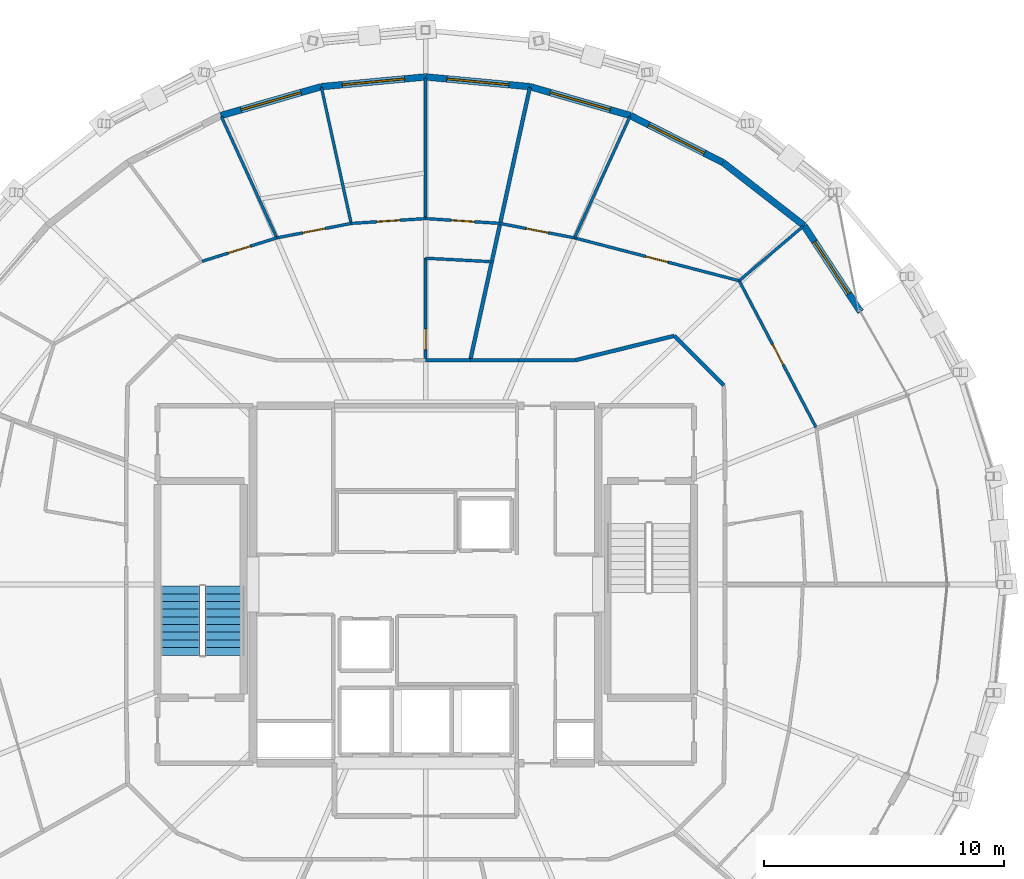
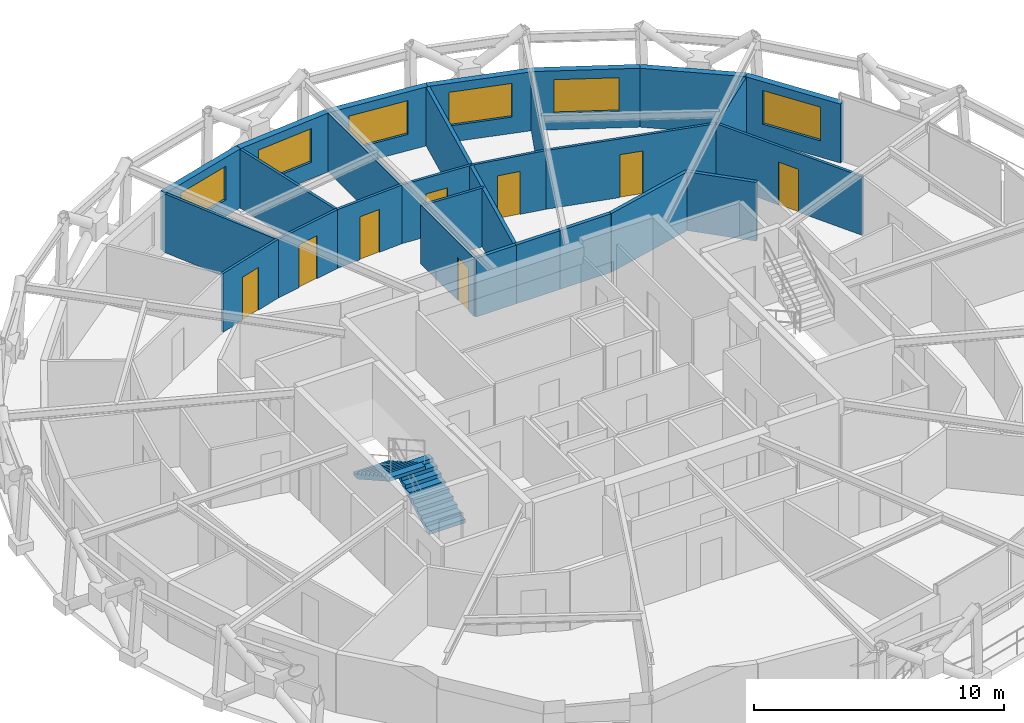
# One storey, part 16 of 18: 27 walls, 8 doors, 6 windows, 2 stair flights, 14 openings, 1 element without a shape of its own.
"""IFC4 building model written with IfcOpenShell, lengths in metres."""

import ifcopenshell
import ifcopenshell.guid

model = None  # the IFC model being written
_history = None  # IfcOwnerHistory: only IFC2X3 demands one
_inside = {}  # id of a spatial element -> (the spatial element, [elements in it])
_under = {}  # id of a project, library or spatial element -> (it, [spatial elements below it])
_declared = {}  # id of a project -> (the project, [libraries it declares])
_typed = {}  # id of a type object -> (the type object, [elements of that type])
_made_of = {}  # id of a material, layer set ... -> (it, [elements and type objects made of it])


def new_model(schema):
    """Start an empty IFC model of exactly this schema.

    Asked for "IFC4X3", IfcOpenShell would pick the latest addendum, in which some entities
    have other attributes; the version numbers below select the first issue.
    IFC2X3 requires an IfcOwnerHistory on every rooted entity: one is made here for all.
    """
    global model, _history
    if schema == "IFC4X3":
        model = ifcopenshell.file(schema_version=(4, 3, 0, 0))
    else:
        model = ifcopenshell.file(schema=schema)
    _inside.clear()
    _under.clear()
    _declared.clear()
    _typed.clear()
    _made_of.clear()
    _history = None
    if model.schema == "IFC2X3":
        org = make("IfcOrganization", Name="unknown")
        user = make(
            "IfcPersonAndOrganization",
            ThePerson=make("IfcPerson", FamilyName="unknown"),
            TheOrganization=org,
        )
        app = make(
            "IfcApplication",
            ApplicationDeveloper=org,
            Version="unknown",
            ApplicationFullName="unknown",
            ApplicationIdentifier="unknown",
        )
        _history = make(
            "IfcOwnerHistory",
            OwningUser=user,
            OwningApplication=app,
            ChangeAction="ADDED",
            CreationDate=0,
        )
    return model


def make(cls, **values):
    """One entity of the class cls with the attributes given. An attribute that is None is left unset."""
    return model.create_entity(
        cls, **{name: value for name, value in values.items() if value is not None}
    )


def rooted(cls, **values):
    """An entity with a GlobalId (a new one), such as an element, a storey or a relation."""
    return make(cls, GlobalId=ifcopenshell.guid.new(), OwnerHistory=_history, **values)


def si_unit(unit_type, name, prefix=None):
    """IfcSIUnit, for example si_unit("LENGTHUNIT", "METRE", prefix="MILLI")."""
    return make("IfcSIUnit", UnitType=unit_type, Prefix=prefix, Name=name)


def assignment(units):
    """IfcUnitAssignment: the units of a project."""
    return None if units is None else make("IfcUnitAssignment", Units=units)


def point(xyz):
    """IfcCartesianPoint."""
    return None if xyz is None else make("IfcCartesianPoint", Coordinates=xyz)


def direction(xyz):
    """IfcDirection."""
    return None if xyz is None else make("IfcDirection", DirectionRatios=xyz)


def frame(location, z_axis=None, x_axis=None):
    """IfcAxis2Placement3D, a coordinate frame: its origin and axes. An axis left out is left unset."""
    return make(
        "IfcAxis2Placement3D",
        Location=point(location),
        Axis=direction(z_axis),
        RefDirection=direction(x_axis),
    )


def frame_2d(location, x_axis=None):
    """IfcAxis2Placement2D, a coordinate frame in the plane: its origin and x axis."""
    return make(
        "IfcAxis2Placement2D", Location=point(location), RefDirection=direction(x_axis)
    )


def origin():
    """The frame at (0, 0, 0) with its axes left unset."""
    return frame((0.0, 0.0, 0.0))


def place(relative_to, where):
    """IfcLocalPlacement: puts the frame where relative to a parent placement (None: the world)."""
    return make(
        "IfcLocalPlacement", PlacementRelTo=relative_to, RelativePlacement=where
    )


def context(
    kind, dimensions, precision=None, world=None, true_north=None, identifier=None
):
    """IfcGeometricRepresentationContext, for example the 3D "Model" context."""
    return make(
        "IfcGeometricRepresentationContext",
        ContextIdentifier=identifier,
        ContextType=kind,
        CoordinateSpaceDimension=dimensions,
        Precision=precision,
        WorldCoordinateSystem=world,
        TrueNorth=true_north,
    )


def subcontext(parent, identifier, kind, view, scale=None):
    """IfcGeometricRepresentationSubContext, for example "Body" below "Model"."""
    return make(
        "IfcGeometricRepresentationSubContext",
        ContextIdentifier=identifier,
        ContextType=kind,
        ParentContext=parent,
        TargetScale=scale,
        TargetView=view,
    )


def project(units=None, contexts=None):
    """IfcProject with its units and contexts."""
    return rooted(
        "IfcProject",
        Name="project",
        RepresentationContexts=contexts,
        UnitsInContext=assignment(units),
    )


def spatial(cls, under=None, at=None, **own):
    """A site, building, storey or space (cls), placed at a placement, below another one or the project."""
    s = rooted(cls, ObjectPlacement=at, **own)
    if under is not None:
        _under.setdefault(under.id(), (under, []))[1].append(s)
    return s


def polyline(points):
    """IfcPolyline through the points."""
    return make("IfcPolyline", Points=[point(p) for p in points])


def profile(cls, at=None, kind="AREA", **sizes):
    """A parametric profile (cls). Its sizes go by their IFC names, for example OverallWidth=200.0."""
    return make(cls, ProfileType=kind, Position=at, **sizes)


def rectangle(**sizes):
    """IfcRectangleProfileDef."""
    return profile("IfcRectangleProfileDef", **sizes)


def outline(outer, holes=None, kind="AREA"):
    """IfcArbitraryClosedProfileDef: a profile drawn as a closed curve; with holes, ...WithVoids."""
    if holes is None:
        return make("IfcArbitraryClosedProfileDef", ProfileType=kind, OuterCurve=outer)
    return make(
        "IfcArbitraryProfileDefWithVoids",
        ProfileType=kind,
        OuterCurve=outer,
        InnerCurves=holes,
    )


def extrude(swept, where, along, depth):
    """IfcExtrudedAreaSolid: the profile swept, set in the frame where, extruded along a direction by depth."""
    return make(
        "IfcExtrudedAreaSolid",
        SweptArea=swept,
        Position=where,
        ExtrudedDirection=direction(along),
        Depth=depth,
    )


def shape(context_of_items, identifier, shape_type, items):
    """IfcShapeRepresentation: the items that make up one representation, for example the "Body"."""
    return make(
        "IfcShapeRepresentation",
        ContextOfItems=context_of_items,
        RepresentationIdentifier=identifier,
        RepresentationType=shape_type,
        Items=items,
    )


def material(Name=None, Category=None):
    """IfcMaterial."""
    return make("IfcMaterial", Name=Name, Category=Category)


def layer(
    of_material, thickness, ventilated=None, Name=None, Category=None, Priority=None
):
    """IfcMaterialLayer: one layer of a wall or slab, of a material (None: an air gap)."""
    return make(
        "IfcMaterialLayer",
        Material=of_material,
        LayerThickness=thickness,
        IsVentilated=ventilated,
        Name=Name,
        Category=Category,
        Priority=Priority,
    )


def layer_set(layers, Name=None):
    """IfcMaterialLayerSet."""
    return make("IfcMaterialLayerSet", MaterialLayers=layers, LayerSetName=Name)


def made_of(thing, what):
    """Note that an element or type object is made of a material, layer set ...; save() writes the relation."""
    if what is not None:
        _made_of.setdefault(what.id(), (what, []))[1].append(thing)
    return thing


def type_object(cls, material=None, **own):
    """A type object (cls), such as IfcWallType, which elements share."""
    return made_of(rooted(cls, **own), material)


def element(
    cls,
    number,
    at=None,
    inside=None,
    cuts=None,
    type_object=None,
    material=None,
    context=None,
    identifier="Body",
    shape_type=None,
    held_by="IfcProductDefinitionShape",
    body=None,
    shapes=None,
    **own,
):
    """One element of the class cls, such as IfcWall. Its Tag is "e" and its number.

    at: its placement. inside: the storey or other place that contains it. cuts: it is an
    opening in that element (IfcRelVoidsElement). A single representation is given by context,
    identifier, shape_type and body (its items); several are given by shapes. held_by: the class
    of the entity that holds the representations. save() writes the other relations.
    """
    e = rooted(cls, Tag="e%d" % number, ObjectPlacement=at, **own)
    if body is not None:
        shapes = [shape(context, identifier, shape_type, body)]
    if shapes is not None:
        e.Representation = make(held_by, Representations=shapes)
    if inside is not None:
        _inside.setdefault(inside.id(), (inside, []))[1].append(e)
    if cuts is not None:
        rooted(
            "IfcRelVoidsElement", RelatingBuildingElement=cuts, RelatedOpeningElement=e
        )
    if type_object is not None:
        _typed.setdefault(type_object.id(), (type_object, []))[1].append(e)
    return made_of(e, material)


def fill(opening, filler):
    """IfcRelFillsElement: the door or window that sits in an opening."""
    return rooted(
        "IfcRelFillsElement",
        RelatingOpeningElement=opening,
        RelatedBuildingElement=filler,
    )


def aggregate(whole, parts):
    """IfcRelAggregates: a whole, such as a stair, and the parts it consists of."""
    return rooted("IfcRelAggregates", RelatingObject=whole, RelatedObjects=parts)


def save(model, path):
    """Write the relations noted so far, then the file.

    IfcRelAggregates (storeys below a building ...), IfcRelContainedInSpatialStructure (elements
    in a storey), IfcRelDefinesByType, IfcRelAssociatesMaterial and IfcRelDeclares: one each for
    every whole, place, type object, material and project.
    """
    for whole, parts in _under.values():
        aggregate(whole, parts)
    for where, things in _inside.values():
        rooted(
            "IfcRelContainedInSpatialStructure",
            RelatedElements=things,
            RelatingStructure=where,
        )
    for kind, things in _typed.values():
        rooted("IfcRelDefinesByType", RelatedObjects=things, RelatingType=kind)
    for what, things in _made_of.values():
        rooted("IfcRelAssociatesMaterial", RelatedObjects=things, RelatingMaterial=what)
    for by, libraries in _declared.values():
        rooted("IfcRelDeclares", RelatingContext=by, RelatedDefinitions=libraries)
    model.write(path)


model = new_model("IFC4")

# Units and contexts
model_context = context("Model", 3, precision=1e-05, world=origin(), true_north=direction((0.0, 1.0)))
body_context = subcontext(model_context, "Body", "Model", "MODEL_VIEW")
ifc_project = project(units=[si_unit("LENGTHUNIT", "METRE"), si_unit("AREAUNIT", "SQUARE_METRE"), si_unit("VOLUMEUNIT", "CUBIC_METRE"), si_unit("PLANEANGLEUNIT", "RADIAN"), si_unit("MASSUNIT", "GRAM", prefix="KILO")], contexts=[model_context])

# Site, building, storey
site_placement = place(None, origin())
site = spatial("IfcSite", under=ifc_project, at=site_placement, CompositionType="ELEMENT")
building_placement = place(site_placement, origin())
building = spatial("IfcBuilding", under=site, at=building_placement, Name="Veldorina Hangang Commons", CompositionType="ELEMENT")
storey_placement = place(building_placement, frame((0.0, 0.0, 232.800048828125)))
storey = spatial("IfcBuildingStorey", under=building, at=storey_placement, Name="L60", CompositionType="ELEMENT", Elevation=232.800048828125)

# Wall, opening, window
ifc_material_1 = material(Name="Stone Roman Travertine", Category="masonry")
ifc_layer_1 = layer(ifc_material_1, 0.280029296875)
ifc_layer_set_1 = layer_set([ifc_layer_1], Name="Stone Roman Travertine")
wall_type_1 = type_object("IfcWallType", Name="EW-TRAV-280", PredefinedType="STANDARD", material=ifc_layer_set_1)
wall_1_placement = place(storey_placement, frame((50.131591796875, 35.36669921875, 0.0), z_axis=(0.0, 0.0, 1.0), x_axis=(-0.548657681843, 0.836047096852, 0.0)))
wall_1 = element("IfcWall", 1, at=wall_1_placement, inside=storey, type_object=wall_type_1, Name="L60 travertine facade wall 03", PredefinedType="STANDARD", context=body_context, shape_type="SweptSolid", body=[
    extrude(rectangle(XDim=4.29931640625, YDim=0.280029296875, at=frame_2d((2.149658203125, 0.0))), origin(), (0.0, 0.0, 1.0), 2.8798828125),
])
opening_1_placement = place(wall_1_placement, frame((0.8955078125, 0.0, 0.800048828125)))
opening_1 = element("IfcOpeningElement", 2, at=opening_1_placement, cuts=wall_1, Name="Opening W-02", PredefinedType="OPENING", context=body_context, shape_type="SweptSolid", body=[
    extrude(rectangle(XDim=2.60009765625, YDim=1.64990234375, at=frame_2d((1.300048828125, 0.824951171875))), frame((0.0, 0.14990234375, 0.0), z_axis=(0.0, -1.0, 0.0), x_axis=(1.0, 0.0, 0.0)), (0.0, 0.0, 1.0), 0.300048828125),
])
ifc_material_2 = material(Name="Glass Low-E Triple IGU", Category="glass")
window_type = type_object("IfcWindowType", Name="WIN-TWR-2600", PartitioningType="SINGLE_PANEL", PredefinedType="WINDOW", material=ifc_material_2)
window_1_placement = place(opening_1_placement, origin())
window_1 = element("IfcWindow", 3, at=window_1_placement, inside=storey, type_object=window_type, Name="L60 facade window 03", OverallHeight=1.64990234375, OverallWidth=2.60009765625, PartitioningType="SINGLE_PANEL", PredefinedType="WINDOW", context=body_context, shape_type="SweptSolid", body=[
    extrude(rectangle(XDim=2.60009765625, YDim=1.64990234375, at=frame_2d((1.300048828125, 0.824951171875))), frame((0.0, 0.030029296875, 0.0), z_axis=(0.0, -1.0, 0.0), x_axis=(1.0, 0.0, 0.0)), (0.0, 0.0, 1.0), 0.06005859375),
])
fill(opening_1, window_1)

# Wall
wall_2_placement = place(storey_placement, frame((47.772705078125, 38.961181640625, 0.0), z_axis=(0.0, 0.0, 1.0), x_axis=(-0.789112773216, 0.614248346475, 0.0)))
element("IfcWall", 4, at=wall_2_placement, inside=storey, type_object=wall_type_1, Name="L60 travertine facade wall 04", PredefinedType="STANDARD", context=body_context, shape_type="SweptSolid", body=[
    extrude(rectangle(XDim=4.283447265625, YDim=0.280029296875, at=frame_2d((2.1416015625, 0.0))), origin(), (0.0, 0.0, 1.0), 2.8798828125),
])

# Wall, opening, window
wall_3_placement = place(storey_placement, frame((44.392578125, 41.59228515625, 0.0), z_axis=(0.0, 0.0, 1.0), x_axis=(-0.891906133231, 0.452220576162, 0.0)))
wall_3 = element("IfcWall", 5, at=wall_3_placement, inside=storey, type_object=wall_type_1, Name="L60 travertine facade wall 05", PredefinedType="STANDARD", context=body_context, shape_type="SweptSolid", body=[
    extrude(rectangle(XDim=4.32373046875, YDim=0.280029296875, at=frame_2d((2.161865234375, 0.0))), origin(), (0.0, 0.0, 1.0), 2.8798828125),
])
opening_2_placement = place(wall_3_placement, frame((0.86181640625, 0.0, 0.800048828125)))
opening_2 = element("IfcOpeningElement", 6, at=opening_2_placement, cuts=wall_3, Name="Opening W-02", PredefinedType="OPENING", context=body_context, shape_type="SweptSolid", body=[
    extrude(rectangle(XDim=2.60009765625, YDim=1.64990234375, at=frame_2d((1.300048828125, 0.824951171875))), frame((0.0, 0.14990234375, 0.0), z_axis=(0.0, -1.0, 0.0), x_axis=(1.0, 0.0, 0.0)), (0.0, 0.0, 1.0), 0.300048828125),
])
window_2_placement = place(opening_2_placement, origin())
window_2 = element("IfcWindow", 7, at=window_2_placement, inside=storey, type_object=window_type, Name="L60 facade window 05", OverallHeight=1.64990234375, OverallWidth=2.60009765625, PartitioningType="SINGLE_PANEL", PredefinedType="WINDOW", context=body_context, shape_type="SweptSolid", body=[
    extrude(rectangle(XDim=2.60009765625, YDim=1.64990234375, at=frame_2d((1.300048828125, 0.824951171875))), frame((0.0, 0.030029296875, 0.0), z_axis=(0.0, -1.0, 0.0), x_axis=(1.0, 0.0, 0.0)), (0.0, 0.0, 1.0), 0.06005859375),
])
fill(opening_2, window_2)

wall_4_placement = place(storey_placement, frame((40.5361328125, 43.547607421875, 0.0), z_axis=(0.0, 0.0, 1.0), x_axis=(-0.961001713186, 0.276542414927, 0.0)))
wall_4 = element("IfcWall", 8, at=wall_4_placement, inside=storey, type_object=wall_type_1, Name="L60 travertine facade wall 06", PredefinedType="STANDARD", context=body_context, shape_type="SweptSolid", body=[
    extrude(rectangle(XDim=4.354248046875, YDim=0.280029296875, at=frame_2d((2.17724609375, 0.0))), origin(), (0.0, 0.0, 1.0), 2.8798828125),
])
opening_3_placement = place(wall_4_placement, frame((0.877197265625, 0.0, 0.800048828125)))
opening_3 = element("IfcOpeningElement", 9, at=opening_3_placement, cuts=wall_4, Name="Opening W-02", PredefinedType="OPENING", context=body_context, shape_type="SweptSolid", body=[
    extrude(rectangle(XDim=2.60009765625, YDim=1.64990234375, at=frame_2d((1.300048828125, 0.824951171875))), frame((0.0, 0.14990234375, 0.0), z_axis=(0.0, -1.0, 0.0), x_axis=(1.0, 0.0, 0.0)), (0.0, 0.0, 1.0), 0.300048828125),
])
window_3_placement = place(opening_3_placement, origin())
window_3 = element("IfcWindow", 10, at=window_3_placement, inside=storey, type_object=window_type, Name="L60 facade window 06", OverallHeight=1.64990234375, OverallWidth=2.60009765625, PartitioningType="SINGLE_PANEL", PredefinedType="WINDOW", context=body_context, shape_type="SweptSolid", body=[
    extrude(rectangle(XDim=2.60009765625, YDim=1.64990234375, at=frame_2d((1.300048828125, 0.824951171875))), frame((0.0, 0.030029296875, 0.0), z_axis=(0.0, -1.0, 0.0), x_axis=(1.0, 0.0, 0.0)), (0.0, 0.0, 1.0), 0.06005859375),
])
fill(opening_3, window_3)

wall_5_placement = place(storey_placement, frame((36.351806640625, 44.751708984375, 0.0), z_axis=(0.0, 0.0, 1.0), x_axis=(-0.995665801827, 0.093003285276, 0.0)))
wall_5 = element("IfcWall", 11, at=wall_5_placement, inside=storey, type_object=wall_type_1, Name="L60 travertine facade wall 07", PredefinedType="STANDARD", context=body_context, shape_type="SweptSolid", body=[
    extrude(rectangle(XDim=4.370849609375, YDim=0.280029296875, at=frame_2d((2.185546875, 0.0))), origin(), (0.0, 0.0, 1.0), 2.8798828125),
])
opening_4_placement = place(wall_5_placement, frame((0.88525390625, 0.0, 0.800048828125)))
opening_4 = element("IfcOpeningElement", 12, at=opening_4_placement, cuts=wall_5, Name="Opening W-02", PredefinedType="OPENING", context=body_context, shape_type="SweptSolid", body=[
    extrude(rectangle(XDim=2.60009765625, YDim=1.64990234375, at=frame_2d((1.300048828125, 0.824951171875))), frame((0.0, 0.14990234375, 0.0), z_axis=(0.0, -1.0, 0.0), x_axis=(1.0, 0.0, 0.0)), (0.0, 0.0, 1.0), 0.300048828125),
])
window_4_placement = place(opening_4_placement, origin())
window_4 = element("IfcWindow", 13, at=window_4_placement, inside=storey, type_object=window_type, Name="L60 facade window 07", OverallHeight=1.64990234375, OverallWidth=2.60009765625, PartitioningType="SINGLE_PANEL", PredefinedType="WINDOW", context=body_context, shape_type="SweptSolid", body=[
    extrude(rectangle(XDim=2.60009765625, YDim=1.64990234375, at=frame_2d((1.300048828125, 0.824951171875))), frame((0.0, 0.030029296875, 0.0), z_axis=(0.0, -1.0, 0.0), x_axis=(1.0, 0.0, 0.0)), (0.0, 0.0, 1.0), 0.06005859375),
])
fill(opening_4, window_4)

wall_6_placement = place(storey_placement, frame((32.0, 45.158203125, 0.0), z_axis=(0.0, 0.0, 1.0), x_axis=(-0.995665801827, -0.093003285276, 0.0)))
wall_6 = element("IfcWall", 14, at=wall_6_placement, inside=storey, type_object=wall_type_1, Name="L60 travertine facade wall 08", PredefinedType="STANDARD", context=body_context, shape_type="SweptSolid", body=[
    extrude(rectangle(XDim=4.370849609375, YDim=0.280029296875, at=frame_2d((2.185546875, 0.0))), origin(), (0.0, 0.0, 1.0), 2.8798828125),
])
opening_5_placement = place(wall_6_placement, frame((0.88525390625, 0.0, 0.800048828125)))
opening_5 = element("IfcOpeningElement", 15, at=opening_5_placement, cuts=wall_6, Name="Opening W-02", PredefinedType="OPENING", context=body_context, shape_type="SweptSolid", body=[
    extrude(rectangle(XDim=2.60009765625, YDim=1.64990234375, at=frame_2d((1.300048828125, 0.824951171875))), frame((0.0, 0.14990234375, 0.0), z_axis=(0.0, -1.0, 0.0), x_axis=(1.0, 0.0, 0.0)), (0.0, 0.0, 1.0), 0.300048828125),
])
window_5_placement = place(opening_5_placement, origin())
window_5 = element("IfcWindow", 16, at=window_5_placement, inside=storey, type_object=window_type, Name="L60 facade window 08", OverallHeight=1.64990234375, OverallWidth=2.60009765625, PartitioningType="SINGLE_PANEL", PredefinedType="WINDOW", context=body_context, shape_type="SweptSolid", body=[
    extrude(rectangle(XDim=2.60009765625, YDim=1.64990234375, at=frame_2d((1.300048828125, 0.824951171875))), frame((0.0, 0.030029296875, 0.0), z_axis=(0.0, -1.0, 0.0), x_axis=(1.0, 0.0, 0.0)), (0.0, 0.0, 1.0), 0.06005859375),
])
fill(opening_5, window_5)

wall_7_placement = place(storey_placement, frame((27.648193359375, 44.751708984375, 0.0), z_axis=(0.0, 0.0, 1.0), x_axis=(-0.961001713186, -0.276542414927, 0.0)))
wall_7 = element("IfcWall", 17, at=wall_7_placement, inside=storey, type_object=wall_type_1, Name="L60 travertine facade wall 09", PredefinedType="STANDARD", context=body_context, shape_type="SweptSolid", body=[
    extrude(rectangle(XDim=4.354248046875, YDim=0.280029296875, at=frame_2d((2.17724609375, 0.0))), origin(), (0.0, 0.0, 1.0), 2.8798828125),
])
opening_6_placement = place(wall_7_placement, frame((0.877197265625, 0.0, 0.800048828125)))
opening_6 = element("IfcOpeningElement", 18, at=opening_6_placement, cuts=wall_7, Name="Opening W-02", PredefinedType="OPENING", context=body_context, shape_type="SweptSolid", body=[
    extrude(rectangle(XDim=2.60009765625, YDim=1.64990234375, at=frame_2d((1.300048828125, 0.824951171875))), frame((0.0, 0.14990234375, 0.0), z_axis=(0.0, -1.0, 0.0), x_axis=(1.0, 0.0, 0.0)), (0.0, 0.0, 1.0), 0.300048828125),
])
window_6_placement = place(opening_6_placement, origin())
window_6 = element("IfcWindow", 19, at=window_6_placement, inside=storey, type_object=window_type, Name="L60 facade window 09", OverallHeight=1.64990234375, OverallWidth=2.60009765625, PartitioningType="SINGLE_PANEL", PredefinedType="WINDOW", context=body_context, shape_type="SweptSolid", body=[
    extrude(rectangle(XDim=2.60009765625, YDim=1.64990234375, at=frame_2d((1.300048828125, 0.824951171875))), frame((0.0, 0.030029296875, 0.0), z_axis=(0.0, -1.0, 0.0), x_axis=(1.0, 0.0, 0.0)), (0.0, 0.0, 1.0), 0.06005859375),
])
fill(opening_6, window_6)

# Walls
ifc_material_3 = material(Name="Gypsum Fire-Rated Twin Stud Wall", Category="gypsum")
ifc_layer_2 = layer(ifc_material_3, 0.159912109375)
ifc_layer_set_2 = layer_set([ifc_layer_2], Name="Gypsum Fire-Rated Twin Stud Wall")
wall_type_2 = type_object("IfcWallType", Name="WL-FIRE-160", PredefinedType="SOLIDWALL", material=ifc_layer_set_2)
wall_8_placement = place(storey_placement, frame((44.4267578125, 32.30322265625, 0.0), z_axis=(0.0, 0.0, 1.0), x_axis=(-0.707106781187, 0.707106781187, 0.0)))
element("IfcWall", 20, at=wall_8_placement, inside=storey, type_object=wall_type_2, Name="L60 Compact collar outer wall 03 053", PredefinedType="SOLIDWALL", context=body_context, shape_type="SweptSolid", body=[
    extrude(rectangle(XDim=2.915771484375, YDim=0.159912109375, at=frame_2d((1.4580078125, 0.0))), origin(), (0.0, 0.0, 1.0), 2.869873046875),
])
wall_9_placement = place(storey_placement, frame((42.364990234375, 34.364990234375, 0.0), z_axis=(0.0, 0.0, 1.0), x_axis=(-0.970939799552, -0.239323850978, 0.0)))
element("IfcWall", 21, at=wall_9_placement, inside=storey, type_object=wall_type_2, Name="L60 Compact collar outer wall 04 054", PredefinedType="SOLIDWALL", context=body_context, shape_type="SweptSolid", body=[
    extrude(rectangle(XDim=4.24072265625, YDim=0.159912109375, at=frame_2d((2.120361328125, 0.0))), origin(), (0.0, 0.0, 1.0), 2.869873046875),
])
wall_10_placement = place(storey_placement, frame((38.24755859375, 33.35009765625, 0.0), z_axis=(0.0, 0.0, 1.0), x_axis=(-1.0, 0.0, 0.0)))
element("IfcWall", 22, at=wall_10_placement, inside=storey, type_object=wall_type_2, Name="L60 Compact collar outer wall 05 055", PredefinedType="SOLIDWALL", context=body_context, shape_type="SweptSolid", body=[
    extrude(rectangle(XDim=2.374755859375, YDim=0.159912109375, at=frame_2d((1.1875, 0.0))), origin(), (0.0, 0.0, 1.0), 2.869873046875),
])
wall_11_placement = place(storey_placement, frame((35.872802734375, 33.35009765625, 0.0), z_axis=(0.0, 0.0, 1.0), x_axis=(-1.0, 0.0, 0.0)))
element("IfcWall", 23, at=wall_11_placement, inside=storey, type_object=wall_type_2, Name="L60 Compact collar outer wall 06 056", PredefinedType="SOLIDWALL", context=body_context, shape_type="SweptSolid", body=[
    extrude(rectangle(XDim=2.012939453125, YDim=0.159912109375, at=frame_2d((1.00634765625, 0.0))), origin(), (0.0, 0.0, 1.0), 2.869873046875),
])
wall_12_placement = place(storey_placement, frame((33.85986328125, 33.35009765625, 0.0), z_axis=(0.0, 0.0, 1.0), x_axis=(-1.0, 0.0, 0.0)))
element("IfcWall", 24, at=wall_12_placement, inside=storey, type_object=wall_type_2, Name="L60 Compact collar outer wall 07 057", PredefinedType="SOLIDWALL", context=body_context, shape_type="SweptSolid", body=[
    extrude(rectangle(XDim=1.85986328125, YDim=0.159912109375, at=frame_2d((0.929931640625, 0.0))), origin(), (0.0, 0.0, 1.0), 2.869873046875),
])
wall_13_placement = place(storey_placement, frame((33.85986328125, 33.35009765625, 0.0), z_axis=(0.0, 0.0, 1.0), x_axis=(0.213514549004, 0.976939884212, 0.0)))
element("IfcWall", 25, at=wall_13_placement, inside=storey, type_object=wall_type_2, Name="L60 Unit party wall 07 097", PredefinedType="SOLIDWALL", context=body_context, shape_type="SweptSolid", body=[
    extrude(rectangle(XDim=11.620849609375, YDim=0.159912109375, at=frame_2d((5.810546875, 0.0))), origin(), (0.0, 0.0, 1.0), 2.869873046875),
])

# Wall, opening, door
ifc_material_4 = material(Name="Gypsum Acoustic Stud Partition", Category="gypsum")
ifc_layer_3 = layer(ifc_material_4, 0.1201171875)
ifc_layer_set_3 = layer_set([ifc_layer_3], Name="Gypsum Acoustic Stud Partition")
wall_type_3 = type_object("IfcWallType", Name="WL-PART-120", PredefinedType="PARTITIONING", material=ifc_layer_set_3)
wall_14_placement = place(storey_placement, frame((48.285400390625, 30.52587890625, 0.0), z_axis=(0.0, 0.0, 1.0), x_axis=(-0.464213686546, 0.885723237373, 0.0)))
wall_14 = element("IfcWall", 26, at=wall_14_placement, inside=storey, type_object=wall_type_3, Name="L60 Cluster 2 bed 2 front wall 091", PredefinedType="PARTITIONING", context=body_context, shape_type="SweptSolid", body=[
    extrude(rectangle(XDim=6.928955078125, YDim=0.1201171875, at=frame_2d((3.46435546875, 0.0))), origin(), (0.0, 0.0, 1.0), 2.869873046875),
])
opening_7_placement = place(wall_14_placement, frame((2.989501953125, 0.0, 0.0)))
opening_7 = element("IfcOpeningElement", 27, at=opening_7_placement, cuts=wall_14, Name="Opening D-02", PredefinedType="OPENING", context=body_context, shape_type="SweptSolid", body=[
    extrude(rectangle(XDim=0.949951171875, YDim=2.10009765625, at=frame_2d((0.47509765625, 1.050048828125))), frame((0.0, 0.070068359375, 0.0), z_axis=(0.0, -1.0, 0.0), x_axis=(1.0, 0.0, 0.0)), (0.0, 0.0, 1.0), 0.14013671875),
])
ifc_material_5 = material(Name="Timber Solid Core Acoustic", Category="wood")
door_type_1 = type_object("IfcDoorType", Name="DR-INT-950", OperationType="SINGLE_SWING_LEFT", PredefinedType="DOOR", material=ifc_material_5)
door_1_placement = place(opening_7_placement, origin())
door_1 = element("IfcDoor", 28, at=door_1_placement, inside=storey, type_object=door_type_1, Name="L60 Cluster 2 bed 2 door 023", OperationType="SINGLE_SWING_LEFT", OverallHeight=2.10009765625, OverallWidth=0.949951171875, PredefinedType="DOOR", context=body_context, shape_type="SweptSolid", body=[
    extrude(rectangle(XDim=0.949951171875, YDim=2.10009765625, at=frame_2d((0.47509765625, 1.050048828125))), frame((0.0, 0.02490234375, 0.0), z_axis=(0.0, -1.0, 0.0), x_axis=(1.0, 0.0, 0.0)), (0.0, 0.0, 1.0), 0.050048828125),
])
fill(opening_7, door_1)

wall_15_placement = place(storey_placement, frame((45.06884765625, 36.6630859375, 0.0), z_axis=(0.0, 0.0, 1.0), x_axis=(-0.967790308664, 0.251757658186, 0.0)))
wall_15 = element("IfcWall", 29, at=wall_15_placement, inside=storey, type_object=wall_type_3, Name="L60 Cluster 2 bed 3 front wall 093", PredefinedType="PARTITIONING", context=body_context, shape_type="SweptSolid", body=[
    extrude(rectangle(XDim=7.0927734375, YDim=0.1201171875, at=frame_2d((3.54638671875, 0.0))), origin(), (0.0, 0.0, 1.0), 2.869873046875),
])
opening_8_placement = place(wall_15_placement, frame((3.0712890625, 0.0, 0.0)))
opening_8 = element("IfcOpeningElement", 30, at=opening_8_placement, cuts=wall_15, Name="Opening D-02", PredefinedType="OPENING", context=body_context, shape_type="SweptSolid", body=[
    extrude(rectangle(XDim=0.949951171875, YDim=2.10009765625, at=frame_2d((0.47509765625, 1.050048828125))), frame((0.0, 0.070068359375, 0.0), z_axis=(0.0, -1.0, 0.0), x_axis=(1.0, 0.0, 0.0)), (0.0, 0.0, 1.0), 0.14013671875),
])
door_2_placement = place(opening_8_placement, origin())
door_2 = element("IfcDoor", 31, at=door_2_placement, inside=storey, type_object=door_type_1, Name="L60 Cluster 2 bed 3 door 024", OperationType="SINGLE_SWING_RIGHT", OverallHeight=2.10009765625, OverallWidth=0.949951171875, PredefinedType="DOOR", context=body_context, shape_type="SweptSolid", body=[
    extrude(rectangle(XDim=0.949951171875, YDim=2.10009765625, at=frame_2d((0.47509765625, 1.050048828125))), frame((0.0, 0.02490234375, 0.0), z_axis=(0.0, -1.0, 0.0), x_axis=(1.0, 0.0, 0.0)), (0.0, 0.0, 1.0), 0.050048828125),
])
fill(opening_8, door_2)

# Wall
wall_16_placement = place(storey_placement, frame((45.06884765625, 36.6630859375, 0.0), z_axis=(0.0, 0.0, 1.0), x_axis=(0.761978918381, 0.647601828242, 0.0)))
element("IfcWall", 32, at=wall_16_placement, inside=storey, type_object=wall_type_3, Name="L60 Cluster 2 bed divider 2 094", PredefinedType="PARTITIONING", context=body_context, shape_type="SweptSolid", body=[
    extrude(rectangle(XDim=3.49853515625, YDim=0.1201171875, at=frame_2d((1.749267578125, 0.0))), origin(), (0.0, 0.0, 1.0), 2.869873046875),
])

# Wall, opening, door
wall_17_placement = place(storey_placement, frame((38.20458984375, 38.44873046875, 0.0), z_axis=(0.0, 0.0, 1.0), x_axis=(-0.981645564912, 0.190714406608, 0.0)))
wall_17 = element("IfcWall", 33, at=wall_17_placement, inside=storey, type_object=wall_type_3, Name="L60 Cluster 2 bed 4 front wall 095", PredefinedType="PARTITIONING", context=body_context, shape_type="SweptSolid", body=[
    extrude(rectangle(XDim=3.15673828125, YDim=0.1201171875, at=frame_2d((1.578369140625, 0.0))), origin(), (0.0, 0.0, 1.0), 2.869873046875),
])
opening_9_placement = place(wall_17_placement, frame((1.103271484375, 0.0, 0.0)))
opening_9 = element("IfcOpeningElement", 34, at=opening_9_placement, cuts=wall_17, Name="Opening D-02", PredefinedType="OPENING", context=body_context, shape_type="SweptSolid", body=[
    extrude(rectangle(XDim=0.949951171875, YDim=2.10009765625, at=frame_2d((0.47509765625, 1.050048828125))), frame((0.0, 0.070068359375, 0.0), z_axis=(0.0, -1.0, 0.0), x_axis=(1.0, 0.0, 0.0)), (0.0, 0.0, 1.0), 0.14013671875),
])
door_3_placement = place(opening_9_placement, origin())
door_3 = element("IfcDoor", 35, at=door_3_placement, inside=storey, type_object=door_type_1, Name="L60 Cluster 2 bed 4 door 025", OperationType="SINGLE_SWING_LEFT", OverallHeight=2.10009765625, OverallWidth=0.949951171875, PredefinedType="DOOR", context=body_context, shape_type="SweptSolid", body=[
    extrude(rectangle(XDim=0.949951171875, YDim=2.10009765625, at=frame_2d((0.47509765625, 1.050048828125))), frame((0.0, 0.02490234375, 0.0), z_axis=(0.0, -1.0, 0.0), x_axis=(1.0, 0.0, 0.0)), (0.0, 0.0, 1.0), 0.050048828125),
])
fill(opening_9, door_3)

# Walls
wall_18_placement = place(storey_placement, frame((38.20458984375, 38.44873046875, 0.0), z_axis=(0.0, 0.0, 1.0), x_axis=(0.415854245642, 0.909431276338, 0.0)))
element("IfcWall", 36, at=wall_18_placement, inside=storey, type_object=wall_type_3, Name="L60 Cluster 2 bed divider 3 096", PredefinedType="PARTITIONING", context=body_context, shape_type="SweptSolid", body=[
    extrude(rectangle(XDim=5.556640625, YDim=0.1201171875, at=frame_2d((2.7783203125, 0.0))), origin(), (0.0, 0.0, 1.0), 2.869873046875),
])
wall_19_placement = place(storey_placement, frame((34.7568359375, 37.45458984375, 0.0), z_axis=(0.0, 0.0, 1.0), x_axis=(-0.998591320033, 0.053060112648, 0.0)))
element("IfcWall", 37, at=wall_19_placement, inside=storey, type_object=wall_type_3, Name="L60 Cluster 3 bath front wall 098", PredefinedType="PARTITIONING", context=body_context, shape_type="SweptSolid", body=[
    extrude(rectangle(XDim=2.7607421875, YDim=0.1201171875, at=frame_2d((1.38037109375, 0.0))), origin(), (0.0, 0.0, 1.0), 2.869873046875),
])

# Wall, opening, door
wall_20_placement = place(storey_placement, frame((32.0, 33.35009765625, 0.0), z_axis=(0.0, 0.0, 1.0), x_axis=(0.0, 1.0, 0.0)))
wall_20 = element("IfcWall", 38, at=wall_20_placement, inside=storey, type_object=wall_type_3, Name="L60 Cluster 3 bath side wall 099", PredefinedType="PARTITIONING", context=body_context, shape_type="SweptSolid", body=[
    extrude(rectangle(XDim=4.2509765625, YDim=0.1201171875, at=frame_2d((2.12548828125, 0.0))), origin(), (0.0, 0.0, 1.0), 2.869873046875),
])
opening_10_placement = place(wall_20_placement, frame((0.43994140625, 0.0, 0.0)))
opening_10 = element("IfcOpeningElement", 39, at=opening_10_placement, cuts=wall_20, Name="Opening D-01", PredefinedType="OPENING", context=body_context, shape_type="SweptSolid", body=[
    extrude(rectangle(XDim=0.860107421875, YDim=2.10009765625, at=frame_2d((0.43017578125, 1.050048828125))), frame((0.0, 0.070068359375, 0.0), z_axis=(0.0, -1.0, 0.0), x_axis=(1.0, 0.0, 0.0)), (0.0, 0.0, 1.0), 0.14013671875),
])
ifc_material_6 = material(Name="Timber Moisture-Resistant Core", Category="wood")
door_type_2 = type_object("IfcDoorType", Name="DR-WET-860", OperationType="SINGLE_SWING_LEFT", PredefinedType="DOOR", material=ifc_material_6)
door_4_placement = place(opening_10_placement, origin())
door_4 = element("IfcDoor", 40, at=door_4_placement, inside=storey, type_object=door_type_2, Name="L60 Cluster 3 shared bathroom door 026", OperationType="SINGLE_SWING_RIGHT", OverallHeight=2.10009765625, OverallWidth=0.860107421875, PredefinedType="DOOR", context=body_context, shape_type="SweptSolid", body=[
    extrude(rectangle(XDim=0.860107421875, YDim=2.10009765625, at=frame_2d((0.43017578125, 1.050048828125))), frame((0.0, 0.02490234375, 0.0), z_axis=(0.0, -1.0, 0.0), x_axis=(1.0, 0.0, 0.0)), (0.0, 0.0, 1.0), 0.050048828125),
])
fill(opening_10, door_4)

wall_21_placement = place(storey_placement, frame((35.105712890625, 39.05078125, 0.0), z_axis=(0.0, 0.0, 1.0), x_axis=(-0.997862906262, 0.06534233165, 0.0)))
wall_21 = element("IfcWall", 41, at=wall_21_placement, inside=storey, type_object=wall_type_3, Name="L60 Cluster 3 bed 1 front wall 100", PredefinedType="PARTITIONING", context=body_context, shape_type="SweptSolid", body=[
    extrude(rectangle(XDim=3.1123046875, YDim=0.1201171875, at=frame_2d((1.55615234375, 0.0))), origin(), (0.0, 0.0, 1.0), 2.869873046875),
])
opening_11_placement = place(wall_21_placement, frame((1.081298828125, 0.0, 0.0)))
opening_11 = element("IfcOpeningElement", 42, at=opening_11_placement, cuts=wall_21, Name="Opening D-02", PredefinedType="OPENING", context=body_context, shape_type="SweptSolid", body=[
    extrude(rectangle(XDim=0.949951171875, YDim=2.10009765625, at=frame_2d((0.47509765625, 1.050048828125))), frame((0.0, 0.070068359375, 0.0), z_axis=(0.0, -1.0, 0.0), x_axis=(1.0, 0.0, 0.0)), (0.0, 0.0, 1.0), 0.14013671875),
])
door_5_placement = place(opening_11_placement, origin())
door_5 = element("IfcDoor", 43, at=door_5_placement, inside=storey, type_object=door_type_1, Name="L60 Cluster 3 bed 1 door 028", OperationType="SINGLE_SWING_RIGHT", OverallHeight=2.10009765625, OverallWidth=0.949951171875, PredefinedType="DOOR", context=body_context, shape_type="SweptSolid", body=[
    extrude(rectangle(XDim=0.949951171875, YDim=2.10009765625, at=frame_2d((0.47509765625, 1.050048828125))), frame((0.0, 0.02490234375, 0.0), z_axis=(0.0, -1.0, 0.0), x_axis=(1.0, 0.0, 0.0)), (0.0, 0.0, 1.0), 0.050048828125),
])
fill(opening_11, door_5)

wall_22_placement = place(storey_placement, frame((32.0, 39.254150390625, 0.0), z_axis=(0.0, 0.0, 1.0), x_axis=(-0.997862906262, -0.06534233165, 0.0)))
wall_22 = element("IfcWall", 44, at=wall_22_placement, inside=storey, type_object=wall_type_3, Name="L60 Cluster 3 bed 2 front wall 101", PredefinedType="PARTITIONING", context=body_context, shape_type="SweptSolid", body=[
    extrude(rectangle(XDim=3.1123046875, YDim=0.1201171875, at=frame_2d((1.55615234375, 0.0))), origin(), (0.0, 0.0, 1.0), 2.869873046875),
])
opening_12_placement = place(wall_22_placement, frame((1.081298828125, 0.0, 0.0)))
opening_12 = element("IfcOpeningElement", 45, at=opening_12_placement, cuts=wall_22, Name="Opening D-02", PredefinedType="OPENING", context=body_context, shape_type="SweptSolid", body=[
    extrude(rectangle(XDim=0.949951171875, YDim=2.10009765625, at=frame_2d((0.47509765625, 1.050048828125))), frame((0.0, 0.070068359375, 0.0), z_axis=(0.0, -1.0, 0.0), x_axis=(1.0, 0.0, 0.0)), (0.0, 0.0, 1.0), 0.14013671875),
])
door_6_placement = place(opening_12_placement, origin())
door_6 = element("IfcDoor", 46, at=door_6_placement, inside=storey, type_object=door_type_1, Name="L60 Cluster 3 bed 2 door 029", OperationType="SINGLE_SWING_LEFT", OverallHeight=2.10009765625, OverallWidth=0.949951171875, PredefinedType="DOOR", context=body_context, shape_type="SweptSolid", body=[
    extrude(rectangle(XDim=0.949951171875, YDim=2.10009765625, at=frame_2d((0.47509765625, 1.050048828125))), frame((0.0, 0.02490234375, 0.0), z_axis=(0.0, -1.0, 0.0), x_axis=(1.0, 0.0, 0.0)), (0.0, 0.0, 1.0), 0.050048828125),
])
fill(opening_12, door_6)

# Wall
wall_23_placement = place(storey_placement, frame((32.0, 39.254150390625, 0.0), z_axis=(0.0, 0.0, 1.0), x_axis=(0.0, 1.0, 0.0)))
element("IfcWall", 47, at=wall_23_placement, inside=storey, type_object=wall_type_3, Name="L60 Cluster 3 bed divider 1 102", PredefinedType="PARTITIONING", context=body_context, shape_type="SweptSolid", body=[
    extrude(rectangle(XDim=5.85400390625, YDim=0.1201171875, at=frame_2d((2.927001953125, 0.0))), origin(), (0.0, 0.0, 1.0), 2.869873046875),
])

# Wall, opening, door
wall_24_placement = place(storey_placement, frame((28.894287109375, 39.05078125, 0.0), z_axis=(0.0, 0.0, 1.0), x_axis=(-0.981645564912, -0.190714406608, 0.0)))
wall_24 = element("IfcWall", 48, at=wall_24_placement, inside=storey, type_object=wall_type_3, Name="L60 Cluster 3 bed 3 front wall 103", PredefinedType="PARTITIONING", context=body_context, shape_type="SweptSolid", body=[
    extrude(rectangle(XDim=3.15673828125, YDim=0.1201171875, at=frame_2d((1.578369140625, 0.0))), origin(), (0.0, 0.0, 1.0), 2.869873046875),
])
opening_13_placement = place(wall_24_placement, frame((1.103271484375, 0.0, 0.0)))
opening_13 = element("IfcOpeningElement", 49, at=opening_13_placement, cuts=wall_24, Name="Opening D-02", PredefinedType="OPENING", context=body_context, shape_type="SweptSolid", body=[
    extrude(rectangle(XDim=0.949951171875, YDim=2.10009765625, at=frame_2d((0.47509765625, 1.050048828125))), frame((0.0, 0.070068359375, 0.0), z_axis=(0.0, -1.0, 0.0), x_axis=(1.0, 0.0, 0.0)), (0.0, 0.0, 1.0), 0.14013671875),
])
door_7_placement = place(opening_13_placement, origin())
door_7 = element("IfcDoor", 50, at=door_7_placement, inside=storey, type_object=door_type_1, Name="L60 Cluster 3 bed 3 door 030", OperationType="SINGLE_SWING_RIGHT", OverallHeight=2.10009765625, OverallWidth=0.949951171875, PredefinedType="DOOR", context=body_context, shape_type="SweptSolid", body=[
    extrude(rectangle(XDim=0.949951171875, YDim=2.10009765625, at=frame_2d((0.47509765625, 1.050048828125))), frame((0.0, 0.02490234375, 0.0), z_axis=(0.0, -1.0, 0.0), x_axis=(1.0, 0.0, 0.0)), (0.0, 0.0, 1.0), 0.050048828125),
])
fill(opening_13, door_7)

# Wall
wall_25_placement = place(storey_placement, frame((28.894287109375, 39.05078125, 0.0), z_axis=(0.0, 0.0, 1.0), x_axis=(-0.213524463296, 0.976937717346, 0.0)))
element("IfcWall", 51, at=wall_25_placement, inside=storey, type_object=wall_type_3, Name="L60 Cluster 3 bed divider 2 104", PredefinedType="PARTITIONING", context=body_context, shape_type="SweptSolid", body=[
    extrude(rectangle(XDim=5.78564453125, YDim=0.1201171875, at=frame_2d((2.892822265625, 0.0))), origin(), (0.0, 0.0, 1.0), 2.869873046875),
])

# Wall, opening, door
wall_26_placement = place(storey_placement, frame((25.79541015625, 38.44873046875, 0.0), z_axis=(0.0, 0.0, 1.0), x_axis=(-0.954134762398, -0.299377446018, 0.0)))
wall_26 = element("IfcWall", 52, at=wall_26_placement, inside=storey, type_object=wall_type_3, Name="L60 Cluster 3 bed 4 front wall 105", PredefinedType="PARTITIONING", context=body_context, shape_type="SweptSolid", body=[
    extrude(rectangle(XDim=3.26513671875, YDim=0.1201171875, at=frame_2d((1.632568359375, 0.0))), origin(), (0.0, 0.0, 1.0), 2.869873046875),
])
opening_14_placement = place(wall_26_placement, frame((1.15771484375, 0.0, 0.0)))
opening_14 = element("IfcOpeningElement", 53, at=opening_14_placement, cuts=wall_26, Name="Opening D-02", PredefinedType="OPENING", context=body_context, shape_type="SweptSolid", body=[
    extrude(rectangle(XDim=0.949951171875, YDim=2.10009765625, at=frame_2d((0.47509765625, 1.050048828125))), frame((0.0, 0.070068359375, 0.0), z_axis=(0.0, -1.0, 0.0), x_axis=(1.0, 0.0, 0.0)), (0.0, 0.0, 1.0), 0.14013671875),
])
door_8_placement = place(opening_14_placement, origin())
door_8 = element("IfcDoor", 54, at=door_8_placement, inside=storey, type_object=door_type_1, Name="L60 Cluster 3 bed 4 door 031", OperationType="SINGLE_SWING_LEFT", OverallHeight=2.10009765625, OverallWidth=0.949951171875, PredefinedType="DOOR", context=body_context, shape_type="SweptSolid", body=[
    extrude(rectangle(XDim=0.949951171875, YDim=2.10009765625, at=frame_2d((0.47509765625, 1.050048828125))), frame((0.0, 0.02490234375, 0.0), z_axis=(0.0, -1.0, 0.0), x_axis=(1.0, 0.0, 0.0)), (0.0, 0.0, 1.0), 0.050048828125),
])
fill(opening_14, door_8)

# Wall
wall_27_placement = place(storey_placement, frame((25.79541015625, 38.44873046875, 0.0), z_axis=(0.0, 0.0, 1.0), x_axis=(-0.415854245642, 0.909431276338, 0.0)))
element("IfcWall", 55, at=wall_27_placement, inside=storey, type_object=wall_type_3, Name="L60 Cluster 3 bed divider 3 106", PredefinedType="PARTITIONING", context=body_context, shape_type="SweptSolid", body=[
    extrude(rectangle(XDim=5.556640625, YDim=0.1201171875, at=frame_2d((2.7783203125, 0.0))), origin(), (0.0, 0.0, 1.0), 2.869873046875),
])

# Stair, stair flights
ifc_material_7 = material(Name="Concrete C40/50", Category="concrete")
stair_type = type_object("IfcStairType", Name="STR-DOG-1650-20R", PredefinedType="HALF_TURN_STAIR", material=ifc_material_7)
stair_placement = place(storey_placement, origin())
stair = element("IfcStair", 56, at=stair_placement, inside=storey, type_object=stair_type, Name="L60 Exit stair ST-1", PredefinedType="HALF_TURN_STAIR")
stair_flight_type = type_object("IfcStairFlightType", Name="SFL-STR-1650-20R", PredefinedType="STRAIGHT", material=ifc_material_7)
stair_flight_1_placement = place(storey_placement, frame((23.625, 21.050048828125, 0.0), z_axis=(0.0, 0.0, 1.0), x_axis=(0.0, 1.0, 0.0)))
stair_flight_1 = element("IfcStairFlight", 57, at=stair_flight_1_placement, type_object=stair_flight_type, Name="ST-1 flight 1", NumberOfRisers=10, NumberOfTreads=9, PredefinedType="STRAIGHT", RiserHeight=0.18, TreadLength=0.32, context=body_context, shape_type="SweptSolid", body=[
    extrude(outline(polyline([(0.0, 0.0), (0.0, 0.179931640625), (0.320068359375, 0.179931640625), (0.320068359375, 0.360107421875), (0.639892578125, 0.360107421875), (0.639892578125, 0.5400390625), (0.9599609375, 0.5400390625), (0.9599609375, 0.719970703125), (1.280029296875, 0.719970703125), (1.280029296875, 0.89990234375), (1.60009765625, 0.89990234375), (1.60009765625, 1.080078125), (1.919921875, 1.080078125), (1.919921875, 1.260009765625), (2.239990234375, 1.260009765625), (2.239990234375, 1.43994140625), (2.56005859375, 1.43994140625), (2.56005859375, 1.6201171875), (2.8798828125, 1.6201171875), (2.8798828125, 1.800048828125), (2.8798828125, 1.447998046875), (0.3056640625, 0.0), (0.0, 0.0)])), frame((0.0, 0.824951171875, 0.0), z_axis=(0.0, -1.0, 0.0), x_axis=(1.0, 0.0, 0.0)), (0.0, 0.0, 1.0), 1.64990234375),
])
stair_flight_2_placement = place(storey_placement, frame((21.77490234375, 23.929931640625, 1.800048828125), z_axis=(0.0, 0.0, 1.0), x_axis=(0.0, -1.0, 0.0)))
stair_flight_2 = element("IfcStairFlight", 58, at=stair_flight_2_placement, type_object=stair_flight_type, Name="ST-1 flight 2", NumberOfRisers=10, NumberOfTreads=9, PredefinedType="STRAIGHT", RiserHeight=0.18, TreadLength=0.32, context=body_context, shape_type="SweptSolid", body=[
    extrude(outline(polyline([(0.0, 0.0), (0.0, 0.179931640625), (0.320068359375, 0.179931640625), (0.320068359375, 0.360107421875), (0.639892578125, 0.360107421875), (0.639892578125, 0.5400390625), (0.9599609375, 0.5400390625), (0.9599609375, 0.719970703125), (1.280029296875, 0.719970703125), (1.280029296875, 0.89990234375), (1.60009765625, 0.89990234375), (1.60009765625, 1.080078125), (1.919921875, 1.080078125), (1.919921875, 1.260009765625), (2.239990234375, 1.260009765625), (2.239990234375, 1.43994140625), (2.56005859375, 1.43994140625), (2.56005859375, 1.6201171875), (2.8798828125, 1.6201171875), (2.8798828125, 1.800048828125), (2.8798828125, 1.447998046875), (0.3056640625, 0.0), (0.0, 0.0)])), frame((0.0, 0.824951171875, 0.0), z_axis=(0.0, -1.0, 0.0), x_axis=(1.0, 0.0, 0.0)), (0.0, 0.0, 1.0), 1.64990234375),
])
aggregate(stair, [stair_flight_1, stair_flight_2])

save(model, "model.ifc")
